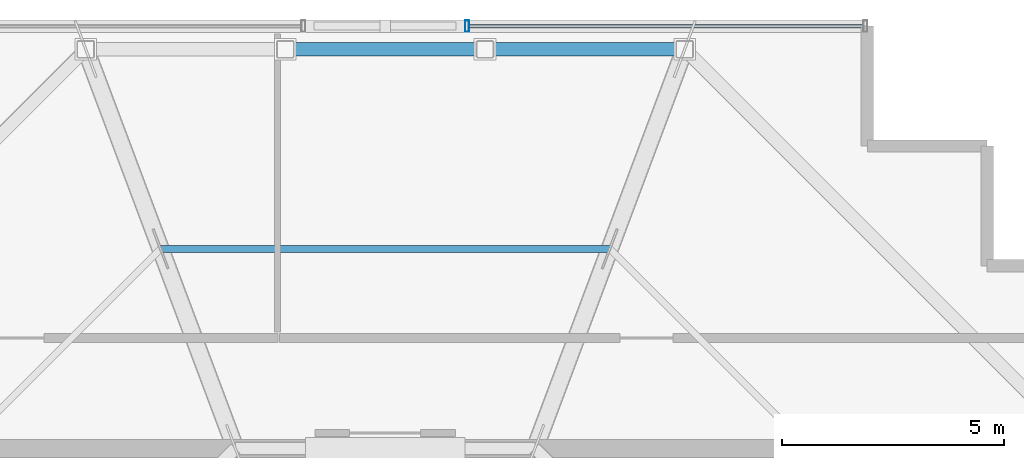
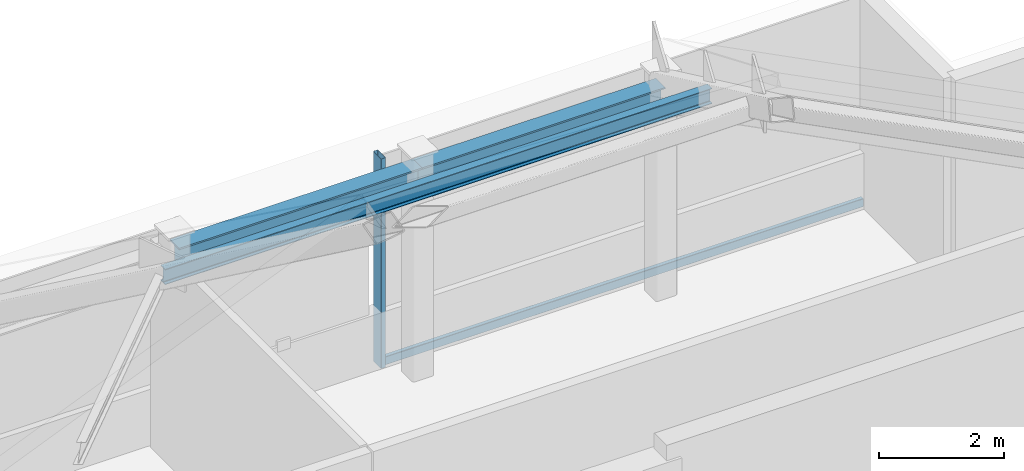
# One storey, part 12 of 17: 3 members, 2 beams, 1 element without a shape of its own.
"""IFC4 building model written with IfcOpenShell, lengths in metres."""

import ifcopenshell
import ifcopenshell.guid

model = None  # the IFC model being written
_history = None  # IfcOwnerHistory: only IFC2X3 demands one
_inside = {}  # id of a spatial element -> (the spatial element, [elements in it])
_under = {}  # id of a project, library or spatial element -> (it, [spatial elements below it])
_declared = {}  # id of a project -> (the project, [libraries it declares])
_typed = {}  # id of a type object -> (the type object, [elements of that type])
_made_of = {}  # id of a material, layer set ... -> (it, [elements and type objects made of it])


def new_model(schema):
    """Start an empty IFC model of exactly this schema.

    Asked for "IFC4X3", IfcOpenShell would pick the latest addendum, in which some entities
    have other attributes; the version numbers below select the first issue.
    IFC2X3 requires an IfcOwnerHistory on every rooted entity: one is made here for all.
    """
    global model, _history
    if schema == "IFC4X3":
        model = ifcopenshell.file(schema_version=(4, 3, 0, 0))
    else:
        model = ifcopenshell.file(schema=schema)
    _inside.clear()
    _under.clear()
    _declared.clear()
    _typed.clear()
    _made_of.clear()
    _history = None
    if model.schema == "IFC2X3":
        org = make("IfcOrganization", Name="unknown")
        user = make(
            "IfcPersonAndOrganization",
            ThePerson=make("IfcPerson", FamilyName="unknown"),
            TheOrganization=org,
        )
        app = make(
            "IfcApplication",
            ApplicationDeveloper=org,
            Version="unknown",
            ApplicationFullName="unknown",
            ApplicationIdentifier="unknown",
        )
        _history = make(
            "IfcOwnerHistory",
            OwningUser=user,
            OwningApplication=app,
            ChangeAction="ADDED",
            CreationDate=0,
        )
    return model


def make(cls, **values):
    """One entity of the class cls with the attributes given. An attribute that is None is left unset."""
    return model.create_entity(
        cls, **{name: value for name, value in values.items() if value is not None}
    )


def rooted(cls, **values):
    """An entity with a GlobalId (a new one), such as an element, a storey or a relation."""
    return make(cls, GlobalId=ifcopenshell.guid.new(), OwnerHistory=_history, **values)


def si_unit(unit_type, name, prefix=None):
    """IfcSIUnit, for example si_unit("LENGTHUNIT", "METRE", prefix="MILLI")."""
    return make("IfcSIUnit", UnitType=unit_type, Prefix=prefix, Name=name)


def assignment(units):
    """IfcUnitAssignment: the units of a project."""
    return None if units is None else make("IfcUnitAssignment", Units=units)


def point(xyz):
    """IfcCartesianPoint."""
    return None if xyz is None else make("IfcCartesianPoint", Coordinates=xyz)


def direction(xyz):
    """IfcDirection."""
    return None if xyz is None else make("IfcDirection", DirectionRatios=xyz)


def frame(location, z_axis=None, x_axis=None):
    """IfcAxis2Placement3D, a coordinate frame: its origin and axes. An axis left out is left unset."""
    return make(
        "IfcAxis2Placement3D",
        Location=point(location),
        Axis=direction(z_axis),
        RefDirection=direction(x_axis),
    )


def frame_2d(location, x_axis=None):
    """IfcAxis2Placement2D, a coordinate frame in the plane: its origin and x axis."""
    return make(
        "IfcAxis2Placement2D", Location=point(location), RefDirection=direction(x_axis)
    )


def origin():
    """The frame at (0, 0, 0) with its axes left unset."""
    return frame((0.0, 0.0, 0.0))


def origin_2d():
    """The frame at (0, 0) in the plane with its x axis left unset."""
    return frame_2d((0.0, 0.0))


def place(relative_to, where):
    """IfcLocalPlacement: puts the frame where relative to a parent placement (None: the world)."""
    return make(
        "IfcLocalPlacement", PlacementRelTo=relative_to, RelativePlacement=where
    )


def context(
    kind, dimensions, precision=None, world=None, true_north=None, identifier=None
):
    """IfcGeometricRepresentationContext, for example the 3D "Model" context."""
    return make(
        "IfcGeometricRepresentationContext",
        ContextIdentifier=identifier,
        ContextType=kind,
        CoordinateSpaceDimension=dimensions,
        Precision=precision,
        WorldCoordinateSystem=world,
        TrueNorth=true_north,
    )


def subcontext(parent, identifier, kind, view, scale=None):
    """IfcGeometricRepresentationSubContext, for example "Body" below "Model"."""
    return make(
        "IfcGeometricRepresentationSubContext",
        ContextIdentifier=identifier,
        ContextType=kind,
        ParentContext=parent,
        TargetScale=scale,
        TargetView=view,
    )


def project(units=None, contexts=None):
    """IfcProject with its units and contexts."""
    return rooted(
        "IfcProject",
        Name="project",
        RepresentationContexts=contexts,
        UnitsInContext=assignment(units),
    )


def spatial(cls, under=None, at=None, **own):
    """A site, building, storey or space (cls), placed at a placement, below another one or the project."""
    s = rooted(cls, ObjectPlacement=at, **own)
    if under is not None:
        _under.setdefault(under.id(), (under, []))[1].append(s)
    return s


def profile(cls, at=None, kind="AREA", **sizes):
    """A parametric profile (cls). Its sizes go by their IFC names, for example OverallWidth=200.0."""
    return make(cls, ProfileType=kind, Position=at, **sizes)


def hollow_rectangle(**sizes):
    """IfcRectangleHollowProfileDef."""
    return profile("IfcRectangleHollowProfileDef", **sizes)


def i_section(**sizes):
    """IfcIShapeProfileDef."""
    return profile("IfcIShapeProfileDef", **sizes)


def extrude(swept, where, along, depth):
    """IfcExtrudedAreaSolid: the profile swept, set in the frame where, extruded along a direction by depth."""
    return make(
        "IfcExtrudedAreaSolid",
        SweptArea=swept,
        Position=where,
        ExtrudedDirection=direction(along),
        Depth=depth,
    )


def shape(context_of_items, identifier, shape_type, items):
    """IfcShapeRepresentation: the items that make up one representation, for example the "Body"."""
    return make(
        "IfcShapeRepresentation",
        ContextOfItems=context_of_items,
        RepresentationIdentifier=identifier,
        RepresentationType=shape_type,
        Items=items,
    )


def source(mapping_origin, context_of_items, identifier, shape_type, items):
    """IfcRepresentationMap: a shape defined once, which mapped items show again and again."""
    return make(
        "IfcRepresentationMap",
        MappingOrigin=mapping_origin,
        MappedRepresentation=shape(context_of_items, identifier, shape_type, items),
    )


def transform(
    local_origin,
    x_axis=None,
    y_axis=None,
    z_axis=None,
    scale=None,
    scale2=None,
    scale3=None,
    uniform=True,
):
    """IfcCartesianTransformationOperator3D, or its non-uniform kind. x_axis, y_axis, z_axis: its Axis1, 2, 3."""
    if uniform:
        return make(
            "IfcCartesianTransformationOperator3D",
            Axis1=direction(x_axis),
            Axis2=direction(y_axis),
            LocalOrigin=point(local_origin),
            Scale=scale,
            Axis3=direction(z_axis),
        )
    return make(
        "IfcCartesianTransformationOperator3DnonUniform",
        Axis1=direction(x_axis),
        Axis2=direction(y_axis),
        LocalOrigin=point(local_origin),
        Scale=scale,
        Axis3=direction(z_axis),
        Scale2=scale2,
        Scale3=scale3,
    )


def mapped(mapping_source, mapping_target):
    """IfcMappedItem: shows the shape of a source again, moved by a transform."""
    return make(
        "IfcMappedItem", MappingSource=mapping_source, MappingTarget=mapping_target
    )


def material(Name=None, Category=None):
    """IfcMaterial."""
    return make("IfcMaterial", Name=Name, Category=Category)


def layer(
    of_material, thickness, ventilated=None, Name=None, Category=None, Priority=None
):
    """IfcMaterialLayer: one layer of a wall or slab, of a material (None: an air gap)."""
    return make(
        "IfcMaterialLayer",
        Material=of_material,
        LayerThickness=thickness,
        IsVentilated=ventilated,
        Name=Name,
        Category=Category,
        Priority=Priority,
    )


def layer_set(layers, Name=None):
    """IfcMaterialLayerSet."""
    return make("IfcMaterialLayerSet", MaterialLayers=layers, LayerSetName=Name)


def material_profile(
    of_material, cross_section, Name=None, Category=None, Priority=None
):
    """IfcMaterialProfile: a cross section and its material."""
    return make(
        "IfcMaterialProfile",
        Name=Name,
        Material=of_material,
        Profile=cross_section,
        Priority=Priority,
        Category=Category,
    )


def profile_set(profiles, Name=None, composite=None):
    """IfcMaterialProfileSet."""
    return make(
        "IfcMaterialProfileSet",
        Name=Name,
        MaterialProfiles=profiles,
        CompositeProfile=composite,
    )


def made_of(thing, what):
    """Note that an element or type object is made of a material, layer set ...; save() writes the relation."""
    if what is not None:
        _made_of.setdefault(what.id(), (what, []))[1].append(thing)
    return thing


def type_object(cls, material=None, **own):
    """A type object (cls), such as IfcWallType, which elements share."""
    return made_of(rooted(cls, **own), material)


def element(
    cls,
    number,
    at=None,
    inside=None,
    cuts=None,
    type_object=None,
    material=None,
    context=None,
    identifier="Body",
    shape_type=None,
    held_by="IfcProductDefinitionShape",
    body=None,
    shapes=None,
    **own,
):
    """One element of the class cls, such as IfcWall. Its Tag is "e" and its number.

    at: its placement. inside: the storey or other place that contains it. cuts: it is an
    opening in that element (IfcRelVoidsElement). A single representation is given by context,
    identifier, shape_type and body (its items); several are given by shapes. held_by: the class
    of the entity that holds the representations. save() writes the other relations.
    """
    e = rooted(cls, Tag="e%d" % number, ObjectPlacement=at, **own)
    if body is not None:
        shapes = [shape(context, identifier, shape_type, body)]
    if shapes is not None:
        e.Representation = make(held_by, Representations=shapes)
    if inside is not None:
        _inside.setdefault(inside.id(), (inside, []))[1].append(e)
    if cuts is not None:
        rooted(
            "IfcRelVoidsElement", RelatingBuildingElement=cuts, RelatedOpeningElement=e
        )
    if type_object is not None:
        _typed.setdefault(type_object.id(), (type_object, []))[1].append(e)
    return made_of(e, material)


def aggregate(whole, parts):
    """IfcRelAggregates: a whole, such as a stair, and the parts it consists of."""
    return rooted("IfcRelAggregates", RelatingObject=whole, RelatedObjects=parts)


def save(model, path):
    """Write the relations noted so far, then the file.

    IfcRelAggregates (storeys below a building ...), IfcRelContainedInSpatialStructure (elements
    in a storey), IfcRelDefinesByType, IfcRelAssociatesMaterial and IfcRelDeclares: one each for
    every whole, place, type object, material and project.
    """
    for whole, parts in _under.values():
        aggregate(whole, parts)
    for where, things in _inside.values():
        rooted(
            "IfcRelContainedInSpatialStructure",
            RelatedElements=things,
            RelatingStructure=where,
        )
    for kind, things in _typed.values():
        rooted("IfcRelDefinesByType", RelatedObjects=things, RelatingType=kind)
    for what, things in _made_of.values():
        rooted("IfcRelAssociatesMaterial", RelatedObjects=things, RelatingMaterial=what)
    for by, libraries in _declared.values():
        rooted("IfcRelDeclares", RelatingContext=by, RelatedDefinitions=libraries)
    model.write(path)


model = new_model("IFC4")

# Units and contexts
model_context = context("Model", 3, precision=1e-05, world=origin(), true_north=direction((0.0, 1.0)))
body_context = subcontext(model_context, "Body", "Model", "MODEL_VIEW")
ifc_project = project(units=[si_unit("LENGTHUNIT", "METRE"), si_unit("AREAUNIT", "SQUARE_METRE"), si_unit("VOLUMEUNIT", "CUBIC_METRE"), si_unit("PLANEANGLEUNIT", "RADIAN"), si_unit("MASSUNIT", "GRAM", prefix="KILO")], contexts=[model_context])

# Site, building, storey
site_placement = place(None, origin())
site = spatial("IfcSite", under=ifc_project, at=site_placement, CompositionType="ELEMENT")
building_placement = place(site_placement, origin())
building = spatial("IfcBuilding", under=site, at=building_placement, Name="Nefas-Gora Pilgrimage Tower", CompositionType="ELEMENT")
storey_placement = place(building_placement, frame((0.0, 0.0, 367.39990234375)))
storey = spatial("IfcBuildingStorey", under=building, at=storey_placement, Name="L92", CompositionType="ELEMENT", Elevation=367.39990234375)

# Beams
ifc_material_1 = material(Name="Steel S355", Category="steel")
ifc_material_profile_1 = material_profile(ifc_material_1, i_section(OverallWidth=0.300048828125, OverallDepth=0.550048828125, WebThickness=0.014892578125, FlangeThickness=0.029052734375, FilletRadius=0.027099609375, at=origin_2d()), Name="HEB 550")
ifc_profile_set_1 = profile_set([ifc_material_profile_1], Name="Steel S355")
beam_type = type_object("IfcBeamType", Name="BM-SPN-HEB400", PredefinedType="SPANDREL", material=ifc_profile_set_1)
shared_shape_1 = source(origin(), body_context, "Body", "SweptSolid", [
    extrude(i_section(OverallWidth=0.300048828125, OverallDepth=0.550048828125, WebThickness=0.014892578125, FlangeThickness=0.029052734375, FilletRadius=0.027099609375, at=origin_2d()), origin(), (0.0, 0.0, 1.0), 4.5),
])
for number, where, z_axis, x_axis, name in (
    (1, (-2.25, 18.0, 3.8251953125), (1.0, 0.0, 0.0), (0.0, 1.0, 0.0), "L92 SP-04 beam"),
    (2, (2.25, 18.0, 3.8251953125), (1.0, 0.0, 0.0), (0.0, 1.0, 0.0), "L92 SP-04 beam"),
):
    element("IfcBeam", number, at=place(storey_placement, frame(where, z_axis=z_axis, x_axis=x_axis)), inside=storey, type_object=beam_type, Name=name, PredefinedType="SPANDREL", context=body_context, shape_type="MappedRepresentation", body=[
        mapped(shared_shape_1, transform((0.0, 0.0, 0.0), x_axis=(1.0, 0.0, 0.0), y_axis=(0.0, 1.0, 0.0), z_axis=(0.0, 0.0, 1.0), scale=1.0)),
    ])

# Member
ifc_material_profile_2 = material_profile(ifc_material_1, i_section(OverallWidth=0.14990234375, OverallDepth=0.300048828125, WebThickness=0.007080078125, FlangeThickness=0.0107421875, FilletRadius=0.014892578125, at=origin_2d()), Name="IPE 300")
ifc_profile_set_2 = profile_set([ifc_material_profile_2], Name="Steel S355")
member_type_1 = type_object("IfcMemberType", Name="MEM-CROWN-PURLIN", PredefinedType="PURLIN", material=ifc_profile_set_2)
shared_shape_2 = source(origin(), body_context, "Body", "SweptSolid", [
    extrude(i_section(OverallWidth=0.14990234375, OverallDepth=0.300048828125, WebThickness=0.007080078125, FlangeThickness=0.0107421875, FilletRadius=0.014892578125, at=origin_2d()), origin(), (0.0, 0.0, 1.0), 10.125),
])
member_1_placement = place(storey_placement, frame((5.0625, 13.5, 7.205078125), z_axis=(-1.0, 0.0, 0.0), x_axis=(0.0, -1.0, 0.0)))
element("IfcMember", 3, at=member_1_placement, inside=storey, type_object=member_type_1, Name="CROWN FRAME Facet Purlin 3", PredefinedType="PURLIN", context=body_context, shape_type="MappedRepresentation", body=[
    mapped(shared_shape_2, transform((0.0, 0.0, 0.0), x_axis=(1.0, 0.0, 0.0), y_axis=(0.0, 1.0, 0.0), z_axis=(0.0, 0.0, 1.0), scale=1.0)),
])

# Curtain wall, members
ifc_material_2 = material(Name="Dark ceramic-fritted solar-control aluminium-glass curtain wall", Category="aluminium")
ifc_layer = layer(ifc_material_2, 0.219970703125)
ifc_layer_set = layer_set([ifc_layer], Name="Dark ceramic-fritted solar-control aluminium-glass curtain wall")
curtain_wall_type = type_object("IfcCurtainWallType", Name="CW-SYS-6", PredefinedType="NOTDEFINED", material=ifc_layer_set)
curtain_wall_placement = place(storey_placement, origin())
curtain_wall = element("IfcCurtainWall", 4, at=curtain_wall_placement, inside=storey, type_object=curtain_wall_type, Name="L92 Unitised Curtain Wall CW6", PredefinedType="NOTDEFINED")
ifc_material_3 = material(Name="Anodised architectural aluminium", Category="aluminium")
ifc_material_profile_3 = material_profile(ifc_material_3, hollow_rectangle(XDim=0.080078125, YDim=0.159912109375, WallThickness=0.00439453125, InnerFilletRadius=0.00439453125, OuterFilletRadius=0.009033203125, at=origin_2d()), Name="ALU TRANSOM 80x160")
ifc_profile_set_3 = profile_set([ifc_material_profile_3], Name="Anodised architectural aluminium")
member_type_2 = type_object("IfcMemberType", Name="CWM-TRN-6", PredefinedType="USERDEFINED", material=ifc_profile_set_3)
shared_shape_3 = source(origin(), body_context, "Body", "SweptSolid", [
    extrude(hollow_rectangle(XDim=0.080078125, YDim=0.159912109375, WallThickness=0.00439453125, InnerFilletRadius=0.00439453125, OuterFilletRadius=0.009033203125, at=origin_2d()), origin(), (0.0, 0.0, 1.0), 8.89013671875),
])
member_2_placement = place(storey_placement, frame((10.780029296875, 18.52001953125, 0.050048828125), z_axis=(-1.0, 0.0, 0.0), x_axis=(0.0, -1.0, 0.0)))
member_2 = element("IfcMember", 5, at=member_2_placement, type_object=member_type_2, Name="CW6 Spandrel Transom", ObjectType="TRANSOM", PredefinedType="USERDEFINED", context=body_context, shape_type="MappedRepresentation", body=[
    mapped(shared_shape_3, transform((0.0, 0.0, 0.0), x_axis=(1.0, 0.0, 0.0), y_axis=(0.0, 1.0, 0.0), z_axis=(0.0, 0.0, 1.0), scale=1.0)),
])
ifc_material_profile_4 = material_profile(ifc_material_3, hollow_rectangle(XDim=0.090087890625, YDim=0.260009765625, WallThickness=0.006103515625, InnerFilletRadius=0.006103515625, OuterFilletRadius=0.011962890625, at=origin_2d()), Name="ALU MULLION 90x260")
ifc_profile_set_4 = profile_set([ifc_material_profile_4], Name="Anodised architectural aluminium")
member_type_3 = type_object("IfcMemberType", Name="CWM-MUL-6", PredefinedType="MULLION", material=ifc_profile_set_4)
shared_shape_4 = source(origin(), body_context, "Body", "SweptSolid", [
    extrude(hollow_rectangle(XDim=0.090087890625, YDim=0.260009765625, WallThickness=0.006103515625, InnerFilletRadius=0.006103515625, OuterFilletRadius=0.011962890625, at=origin_2d()), origin(), (0.0, 0.0, 1.0), 4.10009765625),
])
member_3_placement = place(storey_placement, frame((1.844970703125, 18.52001953125, 0.0), z_axis=(0.0, 0.0, 1.0), x_axis=(-1.0, 0.0, 0.0)))
member_3 = element("IfcMember", 6, at=member_3_placement, type_object=member_type_3, Name="CW6 Mullion 2", PredefinedType="MULLION", context=body_context, shape_type="MappedRepresentation", body=[
    mapped(shared_shape_4, transform((0.0, 0.0, 0.0), x_axis=(1.0, 0.0, 0.0), y_axis=(0.0, 1.0, 0.0), z_axis=(0.0, 0.0, 1.0), scale=1.0)),
])
aggregate(curtain_wall, [member_3, member_2])

save(model, "model.ifc")
